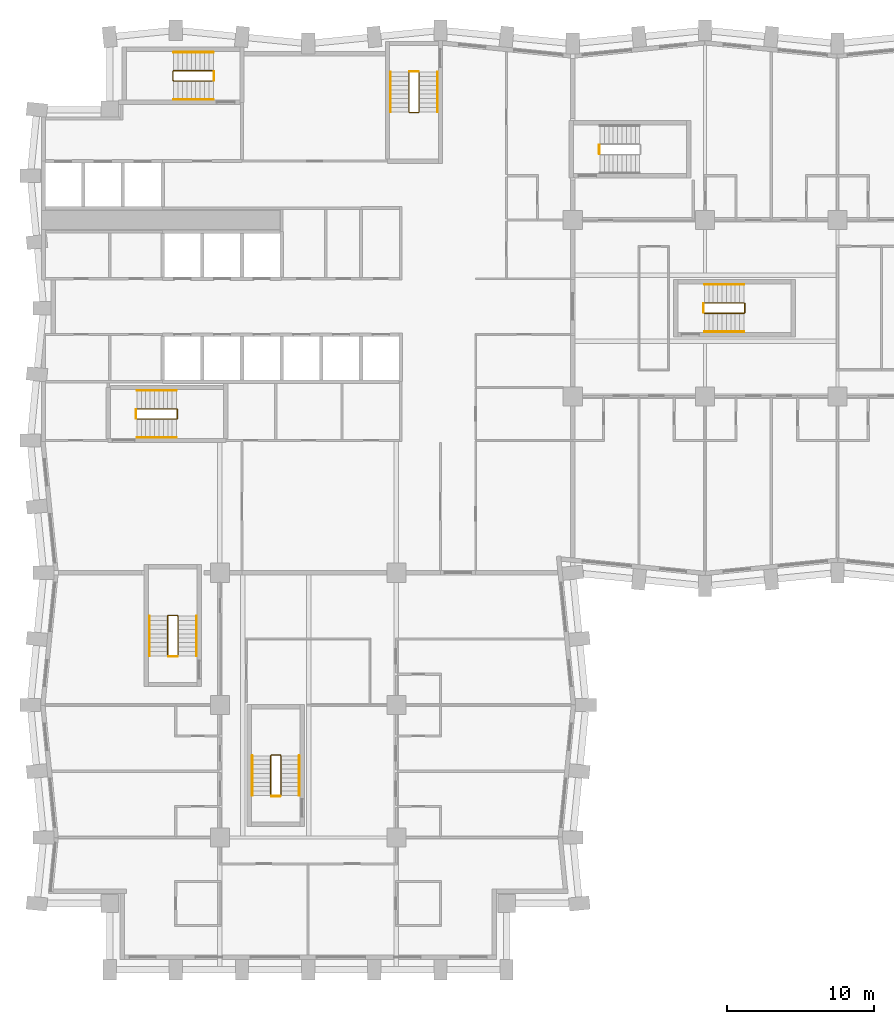
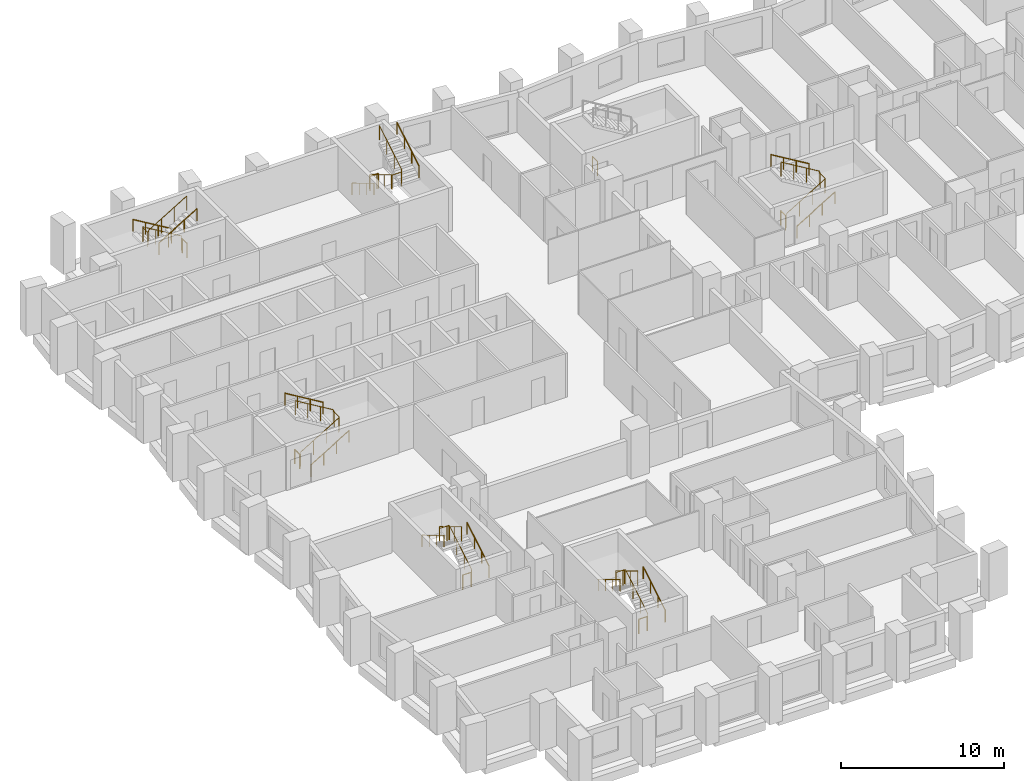
# One storey, part 12 of 13: 25 railings.
"""IFC4 building model written with IfcOpenShell, lengths in metres."""

from ifc_helpers import new_model, si_unit, direction, frame, origin, origin_2d, place, context, subcontext, project, spatial, circle, extrude, material, type_object, element, save


model = new_model("IFC4")

# Units and contexts
model_context = context("Model", 3, precision=1e-05, world=origin(), true_north=direction((0.0, 1.0)))
body_context = subcontext(model_context, "Body", "Model", "MODEL_VIEW")
ifc_project = project(units=[si_unit("LENGTHUNIT", "METRE"), si_unit("AREAUNIT", "SQUARE_METRE"), si_unit("VOLUMEUNIT", "CUBIC_METRE"), si_unit("PLANEANGLEUNIT", "RADIAN"), si_unit("MASSUNIT", "GRAM", prefix="KILO")], contexts=[model_context])

# Site, building, storey
site_placement = place(None, origin())
site = spatial("IfcSite", under=ifc_project, at=site_placement, CompositionType="ELEMENT")
building_placement = place(site_placement, origin())
building = spatial("IfcBuilding", under=site, at=building_placement, Name="Brondeck Convention Tower", CompositionType="ELEMENT")
storey_placement = place(building_placement, frame((0.0, 0.0, 41.10009765625)))
storey = spatial("IfcBuildingStorey", under=building, at=storey_placement, Name="L07", CompositionType="ELEMENT", Elevation=41.10009765625)

# Railings
ifc_material = material(Name="Steel S355", Category="steel")
railing_type_1 = type_object("IfcRailingType", Name="Stair guard 1100", PredefinedType="GUARDRAIL", material=ifc_material)
railing_1_placement = place(storey_placement, frame((6.35009765625, 37.449951171875, 0.179931640625)))
element("IfcRailing", 1, at=railing_1_placement, inside=storey, type_object=railing_type_1, Name="L07 ST-1 stair guard 1", PredefinedType="GUARDRAIL", context=body_context, shape_type="SweptSolid", body=[
    extrude(circle(Radius=0.02392578125, at=origin_2d()), frame((0.0, 0.0, 1.076171875), z_axis=(0.857506608807, 0.0, 0.514472949583), x_axis=(0.0, 1.0, 0.0)), (0.0, 0.0, 1.0), 3.148681640625),
    extrude(circle(Radius=0.02392578125, at=origin_2d()), frame((2.699951171875, 0.0, 2.69580078125), z_axis=(0.707106781187, 0.707106781187, 0.0), x_axis=(-0.707106781187, 0.707106781187, 0.0)), (0.0, 0.0, 1.0), 0.07080078125),
    extrude(circle(Radius=0.02392578125, at=origin_2d()), frame((2.75, 0.050048828125, 2.69580078125), z_axis=(0.0, 1.0, 0.0), x_axis=(-1.0, 0.0, 0.0)), (0.0, 0.0, 1.0), 0.60009765625),
    extrude(circle(Radius=0.02392578125, at=origin_2d()), frame((2.75, 0.650146484375, 2.69580078125), z_axis=(-0.258627984543, 0.257366384619, 0.931060744355), x_axis=(-0.705375805398, -0.708833529934, 0.0)), (0.0, 0.0, 1.0), 0.193603515625),
    extrude(circle(Radius=0.02392578125, at=origin_2d()), frame((2.699951171875, 0.699951171875, 2.8759765625), z_axis=(-0.857506608807, 0.0, 0.514472949583), x_axis=(0.0, -1.0, 0.0)), (0.0, 0.0, 1.0), 3.148681640625),
    extrude(circle(Radius=0.02099609375, at=origin_2d()), origin(), (0.0, 0.0, 1.0), 1.052001953125),
    extrude(circle(Radius=0.02099609375, at=origin_2d()), frame((0.89990234375, 0.0, 0.5400390625)), (0.0, 0.0, 1.0), 1.052001953125),
    extrude(circle(Radius=0.02099609375, at=origin_2d()), frame((1.800048828125, 0.0, 1.079833984375)), (0.0, 0.0, 1.0), 1.052001953125),
    extrude(circle(Radius=0.02099609375, at=origin_2d()), frame((2.699951171875, 0.0, 1.619873046875)), (0.0, 0.0, 1.0), 1.052001953125),
    extrude(circle(Radius=0.02099609375, at=origin_2d()), frame((2.75, 0.050048828125, 1.619873046875)), (0.0, 0.0, 1.0), 1.052001953125),
    extrude(circle(Radius=0.02099609375, at=origin_2d()), frame((2.75, 0.650146484375, 1.619873046875)), (0.0, 0.0, 1.0), 1.052001953125),
    extrude(circle(Radius=0.02099609375, at=origin_2d()), frame((2.699951171875, 0.699951171875, 1.800048828125)), (0.0, 0.0, 1.0), 1.052001953125),
    extrude(circle(Radius=0.02099609375, at=origin_2d()), frame((1.800048828125, 0.699951171875, 2.340087890625)), (0.0, 0.0, 1.0), 1.052001953125),
    extrude(circle(Radius=0.02099609375, at=origin_2d()), frame((0.89990234375, 0.699951171875, 2.8798828125)), (0.0, 0.0, 1.0), 1.052001953125),
    extrude(circle(Radius=0.02099609375, at=origin_2d()), frame((0.0, 0.699951171875, 3.419921875)), (0.0, 0.0, 1.0), 1.052001953125),
])
railing_2_placement = place(storey_placement, frame((6.300048828125, 37.5, 0.0)))
element("IfcRailing", 2, at=railing_2_placement, inside=storey, type_object=railing_type_1, Name="L07 ST-1 stair guard 2", PredefinedType="GUARDRAIL", context=body_context, shape_type="SweptSolid", body=[
    extrude(circle(Radius=0.02392578125, at=origin_2d()), frame((0.0, 0.0, 1.076171875), z_axis=(0.0, 1.0, 0.0), x_axis=(-1.0, 0.0, 0.0)), (0.0, 0.0, 1.0), 0.60009765625),
    extrude(circle(Radius=0.02099609375, at=origin_2d()), origin(), (0.0, 0.0, 1.0), 1.052001953125),
    extrude(circle(Radius=0.02099609375, at=origin_2d()), frame((0.0, 0.60009765625, 0.0)), (0.0, 0.0, 1.0), 1.052001953125),
])
railing_3_placement = place(storey_placement, frame((24.85009765625, 61.050048828125, 0.179931640625)))
element("IfcRailing", 3, at=railing_3_placement, inside=storey, type_object=railing_type_1, Name="L07 ST-2 stair guard 1", PredefinedType="GUARDRAIL", context=body_context, shape_type="SweptSolid", body=[
    extrude(circle(Radius=0.02392578125, at=origin_2d()), frame((0.0, 0.0, 1.076171875), z_axis=(0.0, -0.857506608807, 0.514472949583), x_axis=(1.0, 0.0, 0.0)), (0.0, 0.0, 1.0), 3.148681640625),
    extrude(circle(Radius=0.02392578125, at=origin_2d()), frame((0.0, -2.699951171875, 2.69580078125), z_axis=(0.705375805398, -0.708833529934, 0.0), x_axis=(0.708833529934, 0.705375805398, 0.0)), (0.0, 0.0, 1.0), 0.070556640625),
    extrude(circle(Radius=0.02392578125, at=origin_2d()), frame((0.0498046875, -2.75, 2.69580078125), z_axis=(1.0, 0.0, 0.0), x_axis=(0.0, 1.0, 0.0)), (0.0, 0.0, 1.0), 0.60009765625),
    extrude(circle(Radius=0.02392578125, at=origin_2d()), frame((0.64990234375, -2.75, 2.69580078125), z_axis=(0.258543844998, 0.258543844998, 0.930757841991), x_axis=(-0.707106781187, 0.707106781187, 0.0)), (0.0, 0.0, 1.0), 0.193603515625),
    extrude(circle(Radius=0.02392578125, at=origin_2d()), frame((0.699951171875, -2.699951171875, 2.8759765625), z_axis=(0.0, 0.857506608807, 0.514472949583), x_axis=(-1.0, 0.0, 0.0)), (0.0, 0.0, 1.0), 3.148681640625),
    extrude(circle(Radius=0.02099609375, at=origin_2d()), origin(), (0.0, 0.0, 1.0), 1.052001953125),
    extrude(circle(Radius=0.02099609375, at=origin_2d()), frame((0.0, -0.89990234375, 0.5400390625)), (0.0, 0.0, 1.0), 1.052001953125),
    extrude(circle(Radius=0.02099609375, at=origin_2d()), frame((0.0, -1.800048828125, 1.079833984375)), (0.0, 0.0, 1.0), 1.052001953125),
    extrude(circle(Radius=0.02099609375, at=origin_2d()), frame((0.0, -2.699951171875, 1.619873046875)), (0.0, 0.0, 1.0), 1.052001953125),
    extrude(circle(Radius=0.02099609375, at=origin_2d()), frame((0.0498046875, -2.75, 1.619873046875)), (0.0, 0.0, 1.0), 1.052001953125),
    extrude(circle(Radius=0.02099609375, at=origin_2d()), frame((0.64990234375, -2.75, 1.619873046875)), (0.0, 0.0, 1.0), 1.052001953125),
    extrude(circle(Radius=0.02099609375, at=origin_2d()), frame((0.699951171875, -2.699951171875, 1.800048828125)), (0.0, 0.0, 1.0), 1.052001953125),
    extrude(circle(Radius=0.02099609375, at=origin_2d()), frame((0.699951171875, -1.800048828125, 2.340087890625)), (0.0, 0.0, 1.0), 1.052001953125),
    extrude(circle(Radius=0.02099609375, at=origin_2d()), frame((0.699951171875, -0.89990234375, 2.8798828125)), (0.0, 0.0, 1.0), 1.052001953125),
    extrude(circle(Radius=0.02099609375, at=origin_2d()), frame((0.699951171875, 0.0, 3.419921875)), (0.0, 0.0, 1.0), 1.052001953125),
])
railing_4_placement = place(storey_placement, frame((24.89990234375, 61.10009765625, 0.0)))
element("IfcRailing", 4, at=railing_4_placement, inside=storey, type_object=railing_type_1, Name="L07 ST-2 stair guard 2", PredefinedType="GUARDRAIL", context=body_context, shape_type="SweptSolid", body=[
    extrude(circle(Radius=0.02392578125, at=origin_2d()), frame((0.0, 0.0, 1.076171875), z_axis=(1.0, 0.0, 0.0), x_axis=(0.0, 1.0, 0.0)), (0.0, 0.0, 1.0), 0.60009765625),
    extrude(circle(Radius=0.02099609375, at=origin_2d()), origin(), (0.0, 0.0, 1.0), 1.052001953125),
    extrude(circle(Radius=0.02099609375, at=origin_2d()), frame((0.60009765625, 0.0, 0.0)), (0.0, 0.0, 1.0), 1.052001953125),
])
railing_5_placement = place(storey_placement, frame((11.550048828125, 61.14990234375, 0.179931640625)))
element("IfcRailing", 5, at=railing_5_placement, inside=storey, type_object=railing_type_1, Name="L07 ST-3 stair guard 1", PredefinedType="GUARDRAIL", context=body_context, shape_type="SweptSolid", body=[
    extrude(circle(Radius=0.02392578125, at=origin_2d()), frame((0.0, 0.0, 1.076171875), z_axis=(-0.857506608807, 0.0, 0.514472949583), x_axis=(0.0, -1.0, 0.0)), (0.0, 0.0, 1.0), 3.148681640625),
    extrude(circle(Radius=0.02392578125, at=origin_2d()), frame((-2.699951171875, 0.0, 2.69580078125), z_axis=(-0.708833529934, -0.705375805398, 0.0), x_axis=(0.705375805398, -0.708833529934, 0.0)), (0.0, 0.0, 1.0), 0.070556640625),
    extrude(circle(Radius=0.02392578125, at=origin_2d()), frame((-2.75, -0.0498046875, 2.69580078125), z_axis=(0.0, -1.0, 0.0), x_axis=(1.0, 0.0, 0.0)), (0.0, 0.0, 1.0), 0.60009765625),
    extrude(circle(Radius=0.02392578125, at=origin_2d()), frame((-2.75, -0.64990234375, 2.69580078125), z_axis=(0.258543844998, -0.258543844998, 0.930757841991), x_axis=(0.707106781187, 0.707106781187, 0.0)), (0.0, 0.0, 1.0), 0.193603515625),
    extrude(circle(Radius=0.02392578125, at=origin_2d()), frame((-2.699951171875, -0.699951171875, 2.8759765625), z_axis=(0.857506608807, 0.0, 0.514472949583), x_axis=(0.0, 1.0, 0.0)), (0.0, 0.0, 1.0), 3.148681640625),
    extrude(circle(Radius=0.02099609375, at=origin_2d()), origin(), (0.0, 0.0, 1.0), 1.052001953125),
    extrude(circle(Radius=0.02099609375, at=origin_2d()), frame((-0.89990234375, 0.0, 0.5400390625)), (0.0, 0.0, 1.0), 1.052001953125),
    extrude(circle(Radius=0.02099609375, at=origin_2d()), frame((-1.800048828125, 0.0, 1.079833984375)), (0.0, 0.0, 1.0), 1.052001953125),
    extrude(circle(Radius=0.02099609375, at=origin_2d()), frame((-2.699951171875, 0.0, 1.619873046875)), (0.0, 0.0, 1.0), 1.052001953125),
    extrude(circle(Radius=0.02099609375, at=origin_2d()), frame((-2.75, -0.0498046875, 1.619873046875)), (0.0, 0.0, 1.0), 1.052001953125),
    extrude(circle(Radius=0.02099609375, at=origin_2d()), frame((-2.75, -0.64990234375, 1.619873046875)), (0.0, 0.0, 1.0), 1.052001953125),
    extrude(circle(Radius=0.02099609375, at=origin_2d()), frame((-2.699951171875, -0.699951171875, 1.800048828125)), (0.0, 0.0, 1.0), 1.052001953125),
    extrude(circle(Radius=0.02099609375, at=origin_2d()), frame((-1.800048828125, -0.699951171875, 2.340087890625)), (0.0, 0.0, 1.0), 1.052001953125),
    extrude(circle(Radius=0.02099609375, at=origin_2d()), frame((-0.89990234375, -0.699951171875, 2.8798828125)), (0.0, 0.0, 1.0), 1.052001953125),
    extrude(circle(Radius=0.02099609375, at=origin_2d()), frame((0.0, -0.699951171875, 3.419921875)), (0.0, 0.0, 1.0), 1.052001953125),
])
railing_6_placement = place(storey_placement, frame((11.60009765625, 61.10009765625, 0.0)))
element("IfcRailing", 6, at=railing_6_placement, inside=storey, type_object=railing_type_1, Name="L07 ST-3 stair guard 2", PredefinedType="GUARDRAIL", context=body_context, shape_type="SweptSolid", body=[
    extrude(circle(Radius=0.02392578125, at=origin_2d()), frame((0.0, 0.0, 1.076171875), z_axis=(0.0, -1.0, 0.0), x_axis=(1.0, 0.0, 0.0)), (0.0, 0.0, 1.0), 0.60009765625),
    extrude(circle(Radius=0.02099609375, at=origin_2d()), origin(), (0.0, 0.0, 1.0), 1.052001953125),
    extrude(circle(Radius=0.02099609375, at=origin_2d()), frame((0.0, -0.60009765625, 0.0)), (0.0, 0.0, 1.0), 1.052001953125),
])
railing_7_placement = place(storey_placement, frame((37.800048828125, 55.5, 0.0)))
element("IfcRailing", 7, at=railing_7_placement, inside=storey, type_object=railing_type_1, Name="L07 ST-AE stair guard 2", PredefinedType="GUARDRAIL", context=body_context, shape_type="SweptSolid", body=[
    extrude(circle(Radius=0.02392578125, at=origin_2d()), frame((0.0, 0.0, 1.076171875), z_axis=(0.0, 1.0, 0.0), x_axis=(-1.0, 0.0, 0.0)), (0.0, 0.0, 1.0), 0.60009765625),
    extrude(circle(Radius=0.02099609375, at=origin_2d()), origin(), (0.0, 0.0, 1.0), 1.052001953125),
    extrude(circle(Radius=0.02099609375, at=origin_2d()), frame((0.0, 0.60009765625, 0.0)), (0.0, 0.0, 1.0), 1.052001953125),
])
railing_8_placement = place(storey_placement, frame((9.14990234375, 21.35009765625, 0.179931640625)))
element("IfcRailing", 8, at=railing_8_placement, inside=storey, type_object=railing_type_1, Name="L07 ST-BE stair guard 1", PredefinedType="GUARDRAIL", context=body_context, shape_type="SweptSolid", body=[
    extrude(circle(Radius=0.02392578125, at=origin_2d()), frame((0.0, 0.0, 1.076171875), z_axis=(0.0, 0.857506608807, 0.514472949583), x_axis=(-1.0, 0.0, 0.0)), (0.0, 0.0, 1.0), 3.148681640625),
    extrude(circle(Radius=0.02392578125, at=origin_2d()), frame((0.0, 2.699951171875, 2.69580078125), z_axis=(-0.705375805398, 0.708833529934, 0.0), x_axis=(-0.708833529934, -0.705375805398, 0.0)), (0.0, 0.0, 1.0), 0.070556640625),
    extrude(circle(Radius=0.02392578125, at=origin_2d()), frame((-0.0498046875, 2.75, 2.69580078125), z_axis=(-1.0, 0.0, 0.0), x_axis=(0.0, -1.0, 0.0)), (0.0, 0.0, 1.0), 0.60009765625),
    extrude(circle(Radius=0.02392578125, at=origin_2d()), frame((-0.64990234375, 2.75, 2.69580078125), z_axis=(-0.258543844998, -0.258543844998, 0.930757841991), x_axis=(0.707106781187, -0.707106781187, 0.0)), (0.0, 0.0, 1.0), 0.193603515625),
    extrude(circle(Radius=0.02392578125, at=origin_2d()), frame((-0.699951171875, 2.699951171875, 2.8759765625), z_axis=(0.0, -0.857506608807, 0.514472949583), x_axis=(1.0, 0.0, 0.0)), (0.0, 0.0, 1.0), 3.148681640625),
    extrude(circle(Radius=0.02099609375, at=origin_2d()), origin(), (0.0, 0.0, 1.0), 1.052001953125),
    extrude(circle(Radius=0.02099609375, at=origin_2d()), frame((0.0, 0.89990234375, 0.5400390625)), (0.0, 0.0, 1.0), 1.052001953125),
    extrude(circle(Radius=0.02099609375, at=origin_2d()), frame((0.0, 1.800048828125, 1.079833984375)), (0.0, 0.0, 1.0), 1.052001953125),
    extrude(circle(Radius=0.02099609375, at=origin_2d()), frame((0.0, 2.699951171875, 1.619873046875)), (0.0, 0.0, 1.0), 1.052001953125),
    extrude(circle(Radius=0.02099609375, at=origin_2d()), frame((-0.0498046875, 2.75, 1.619873046875)), (0.0, 0.0, 1.0), 1.052001953125),
    extrude(circle(Radius=0.02099609375, at=origin_2d()), frame((-0.64990234375, 2.75, 1.619873046875)), (0.0, 0.0, 1.0), 1.052001953125),
    extrude(circle(Radius=0.02099609375, at=origin_2d()), frame((-0.699951171875, 2.699951171875, 1.800048828125)), (0.0, 0.0, 1.0), 1.052001953125),
    extrude(circle(Radius=0.02099609375, at=origin_2d()), frame((-0.699951171875, 1.800048828125, 2.340087890625)), (0.0, 0.0, 1.0), 1.052001953125),
    extrude(circle(Radius=0.02099609375, at=origin_2d()), frame((-0.699951171875, 0.89990234375, 2.8798828125)), (0.0, 0.0, 1.0), 1.052001953125),
    extrude(circle(Radius=0.02099609375, at=origin_2d()), frame((-0.699951171875, 0.0, 3.419921875)), (0.0, 0.0, 1.0), 1.052001953125),
])
railing_9_placement = place(storey_placement, frame((9.10009765625, 21.300048828125, 0.0)))
element("IfcRailing", 9, at=railing_9_placement, inside=storey, type_object=railing_type_1, Name="L07 ST-BE stair guard 2", PredefinedType="GUARDRAIL", context=body_context, shape_type="SweptSolid", body=[
    extrude(circle(Radius=0.02392578125, at=origin_2d()), frame((0.0, 0.0, 1.076171875), z_axis=(-1.0, 0.0, 0.0), x_axis=(0.0, -1.0, 0.0)), (0.0, 0.0, 1.0), 0.60009765625),
    extrude(circle(Radius=0.02099609375, at=origin_2d()), origin(), (0.0, 0.0, 1.0), 1.052001953125),
    extrude(circle(Radius=0.02099609375, at=origin_2d()), frame((-0.60009765625, 0.0, 0.0)), (0.0, 0.0, 1.0), 1.052001953125),
])
railing_10_placement = place(storey_placement, frame((44.949951171875, 44.64990234375, 0.179931640625)))
element("IfcRailing", 10, at=railing_10_placement, inside=storey, type_object=railing_type_1, Name="L07 ST-AF stair guard 1", PredefinedType="GUARDRAIL", context=body_context, shape_type="SweptSolid", body=[
    extrude(circle(Radius=0.02392578125, at=origin_2d()), frame((0.0, 0.0, 1.076171875), z_axis=(0.857506608807, 0.0, 0.514472949583), x_axis=(0.0, 1.0, 0.0)), (0.0, 0.0, 1.0), 3.148681640625),
    extrude(circle(Radius=0.02392578125, at=origin_2d()), frame((2.699951171875, 0.0, 2.69580078125), z_axis=(0.707106781187, 0.707106781187, 0.0), x_axis=(-0.707106781187, 0.707106781187, 0.0)), (0.0, 0.0, 1.0), 0.07080078125),
    extrude(circle(Radius=0.02392578125, at=origin_2d()), frame((2.75, 0.050048828125, 2.69580078125), z_axis=(0.0, 1.0, 0.0), x_axis=(-1.0, 0.0, 0.0)), (0.0, 0.0, 1.0), 0.60009765625),
    extrude(circle(Radius=0.02392578125, at=origin_2d()), frame((2.75, 0.650146484375, 2.69580078125), z_axis=(-0.258543844998, 0.258543844998, 0.930757841991), x_axis=(-0.707106781187, -0.707106781187, 0.0)), (0.0, 0.0, 1.0), 0.193603515625),
    extrude(circle(Radius=0.02392578125, at=origin_2d()), frame((2.699951171875, 0.7001953125, 2.8759765625), z_axis=(-0.857506608807, 0.0, 0.514472949583), x_axis=(0.0, -1.0, 0.0)), (0.0, 0.0, 1.0), 3.148681640625),
    extrude(circle(Radius=0.02099609375, at=origin_2d()), origin(), (0.0, 0.0, 1.0), 1.052001953125),
    extrude(circle(Radius=0.02099609375, at=origin_2d()), frame((0.89990234375, 0.0, 0.5400390625)), (0.0, 0.0, 1.0), 1.052001953125),
    extrude(circle(Radius=0.02099609375, at=origin_2d()), frame((1.800048828125, 0.0, 1.079833984375)), (0.0, 0.0, 1.0), 1.052001953125),
    extrude(circle(Radius=0.02099609375, at=origin_2d()), frame((2.699951171875, 0.0, 1.619873046875)), (0.0, 0.0, 1.0), 1.052001953125),
    extrude(circle(Radius=0.02099609375, at=origin_2d()), frame((2.75, 0.050048828125, 1.619873046875)), (0.0, 0.0, 1.0), 1.052001953125),
    extrude(circle(Radius=0.02099609375, at=origin_2d()), frame((2.75, 0.650146484375, 1.619873046875)), (0.0, 0.0, 1.0), 1.052001953125),
    extrude(circle(Radius=0.02099609375, at=origin_2d()), frame((2.699951171875, 0.7001953125, 1.800048828125)), (0.0, 0.0, 1.0), 1.052001953125),
    extrude(circle(Radius=0.02099609375, at=origin_2d()), frame((1.800048828125, 0.7001953125, 2.340087890625)), (0.0, 0.0, 1.0), 1.052001953125),
    extrude(circle(Radius=0.02099609375, at=origin_2d()), frame((0.89990234375, 0.7001953125, 2.8798828125)), (0.0, 0.0, 1.0), 1.052001953125),
    extrude(circle(Radius=0.02099609375, at=origin_2d()), frame((0.0, 0.7001953125, 3.419921875)), (0.0, 0.0, 1.0), 1.052001953125),
])
railing_11_placement = place(storey_placement, frame((44.89990234375, 44.699951171875, 0.0)))
element("IfcRailing", 11, at=railing_11_placement, inside=storey, type_object=railing_type_1, Name="L07 ST-AF stair guard 2", PredefinedType="GUARDRAIL", context=body_context, shape_type="SweptSolid", body=[
    extrude(circle(Radius=0.02392578125, at=origin_2d()), frame((0.0, 0.0, 1.076171875), z_axis=(0.0, 1.0, 0.0), x_axis=(-1.0, 0.0, 0.0)), (0.0, 0.0, 1.0), 0.60009765625),
    extrude(circle(Radius=0.02099609375, at=origin_2d()), origin(), (0.0, 0.0, 1.0), 1.052001953125),
    extrude(circle(Radius=0.02099609375, at=origin_2d()), frame((0.0, 0.60009765625, 0.0)), (0.0, 0.0, 1.0), 1.052001953125),
])
railing_12_placement = place(storey_placement, frame((16.14990234375, 11.85009765625, 0.179931640625)))
element("IfcRailing", 12, at=railing_12_placement, inside=storey, type_object=railing_type_1, Name="L07 ST-BF stair guard 1", PredefinedType="GUARDRAIL", context=body_context, shape_type="SweptSolid", body=[
    extrude(circle(Radius=0.02392578125, at=origin_2d()), frame((0.0, 0.0, 1.076171875), z_axis=(0.0, 0.857506608807, 0.514472949583), x_axis=(-1.0, 0.0, 0.0)), (0.0, 0.0, 1.0), 3.148681640625),
    extrude(circle(Radius=0.02392578125, at=origin_2d()), frame((0.0, 2.699951171875, 2.69580078125), z_axis=(-0.705375805398, 0.708833529934, 0.0), x_axis=(-0.708833529934, -0.705375805398, 0.0)), (0.0, 0.0, 1.0), 0.070556640625),
    extrude(circle(Radius=0.02392578125, at=origin_2d()), frame((-0.0498046875, 2.75, 2.69580078125), z_axis=(-1.0, 0.0, 0.0), x_axis=(0.0, -1.0, 0.0)), (0.0, 0.0, 1.0), 0.60009765625),
    extrude(circle(Radius=0.02392578125, at=origin_2d()), frame((-0.64990234375, 2.75, 2.69580078125), z_axis=(-0.258543844998, -0.258543844998, 0.930757841991), x_axis=(0.707106781187, -0.707106781187, 0.0)), (0.0, 0.0, 1.0), 0.193603515625),
    extrude(circle(Radius=0.02392578125, at=origin_2d()), frame((-0.699951171875, 2.699951171875, 2.8759765625), z_axis=(0.0, -0.857506608807, 0.514472949583), x_axis=(1.0, 0.0, 0.0)), (0.0, 0.0, 1.0), 3.148681640625),
    extrude(circle(Radius=0.02099609375, at=origin_2d()), origin(), (0.0, 0.0, 1.0), 1.052001953125),
    extrude(circle(Radius=0.02099609375, at=origin_2d()), frame((0.0, 0.89990234375, 0.5400390625)), (0.0, 0.0, 1.0), 1.052001953125),
    extrude(circle(Radius=0.02099609375, at=origin_2d()), frame((0.0, 1.800048828125, 1.079833984375)), (0.0, 0.0, 1.0), 1.052001953125),
    extrude(circle(Radius=0.02099609375, at=origin_2d()), frame((0.0, 2.699951171875, 1.619873046875)), (0.0, 0.0, 1.0), 1.052001953125),
    extrude(circle(Radius=0.02099609375, at=origin_2d()), frame((-0.0498046875, 2.75, 1.619873046875)), (0.0, 0.0, 1.0), 1.052001953125),
    extrude(circle(Radius=0.02099609375, at=origin_2d()), frame((-0.64990234375, 2.75, 1.619873046875)), (0.0, 0.0, 1.0), 1.052001953125),
    extrude(circle(Radius=0.02099609375, at=origin_2d()), frame((-0.699951171875, 2.699951171875, 1.800048828125)), (0.0, 0.0, 1.0), 1.052001953125),
    extrude(circle(Radius=0.02099609375, at=origin_2d()), frame((-0.699951171875, 1.800048828125, 2.340087890625)), (0.0, 0.0, 1.0), 1.052001953125),
    extrude(circle(Radius=0.02099609375, at=origin_2d()), frame((-0.699951171875, 0.89990234375, 2.8798828125)), (0.0, 0.0, 1.0), 1.052001953125),
    extrude(circle(Radius=0.02099609375, at=origin_2d()), frame((-0.699951171875, 0.0, 3.419921875)), (0.0, 0.0, 1.0), 1.052001953125),
])
railing_13_placement = place(storey_placement, frame((16.10009765625, 11.800048828125, 0.0)))
element("IfcRailing", 13, at=railing_13_placement, inside=storey, type_object=railing_type_1, Name="L07 ST-BF stair guard 2", PredefinedType="GUARDRAIL", context=body_context, shape_type="SweptSolid", body=[
    extrude(circle(Radius=0.02392578125, at=origin_2d()), frame((0.0, 0.0, 1.076171875), z_axis=(-1.0, 0.0, 0.0), x_axis=(0.0, -1.0, 0.0)), (0.0, 0.0, 1.0), 0.60009765625),
    extrude(circle(Radius=0.02099609375, at=origin_2d()), origin(), (0.0, 0.0, 1.0), 1.052001953125),
    extrude(circle(Radius=0.02099609375, at=origin_2d()), frame((-0.60009765625, 0.0, 0.0)), (0.0, 0.0, 1.0), 1.052001953125),
])
railing_type_2 = type_object("IfcRailingType", Name="Stair handrail", PredefinedType="HANDRAIL", material=ifc_material)
railing_14_placement = place(storey_placement, frame((6.35009765625, 36.199951171875, 0.179931640625)))
element("IfcRailing", 14, at=railing_14_placement, inside=storey, type_object=railing_type_2, Name="L07 ST-1 stair handrail 1", PredefinedType="HANDRAIL", context=body_context, shape_type="SweptSolid", body=[
    extrude(circle(Radius=0.02392578125, at=origin_2d()), frame((0.0, 0.0, 0.8759765625), z_axis=(0.857506608807, 0.0, 0.514472949583), x_axis=(0.0, 1.0, 0.0)), (0.0, 0.0, 1.0), 3.148681640625),
    extrude(circle(Radius=0.02099609375, at=origin_2d()), origin(), (0.0, 0.0, 1.0), 0.851806640625),
    extrude(circle(Radius=0.02099609375, at=origin_2d()), frame((0.89990234375, 0.0, 0.5400390625)), (0.0, 0.0, 1.0), 0.851806640625),
    extrude(circle(Radius=0.02099609375, at=origin_2d()), frame((1.800048828125, 0.0, 1.079833984375)), (0.0, 0.0, 1.0), 0.851806640625),
    extrude(circle(Radius=0.02099609375, at=origin_2d()), frame((2.699951171875, 0.0, 1.619873046875)), (0.0, 0.0, 1.0), 0.851806640625),
])
railing_15_placement = place(storey_placement, frame((9.050048828125, 39.39990234375, 1.97998046875)))
element("IfcRailing", 15, at=railing_15_placement, inside=storey, type_object=railing_type_2, Name="L07 ST-1 stair handrail 2", PredefinedType="HANDRAIL", context=body_context, shape_type="SweptSolid", body=[
    extrude(circle(Radius=0.02392578125, at=origin_2d()), frame((0.0, 0.0, 0.8759765625), z_axis=(-0.857506608807, 0.0, 0.514472949583), x_axis=(0.0, -1.0, 0.0)), (0.0, 0.0, 1.0), 3.148681640625),
    extrude(circle(Radius=0.02099609375, at=origin_2d()), origin(), (0.0, 0.0, 1.0), 0.851806640625),
    extrude(circle(Radius=0.02099609375, at=origin_2d()), frame((-0.89990234375, 0.0, 0.5400390625)), (0.0, 0.0, 1.0), 0.851806640625),
    extrude(circle(Radius=0.02099609375, at=origin_2d()), frame((-1.800048828125, 0.0, 1.079833984375)), (0.0, 0.0, 1.0), 0.851806640625),
    extrude(circle(Radius=0.02099609375, at=origin_2d()), frame((-2.699951171875, 0.0, 1.619873046875)), (0.0, 0.0, 1.0), 0.851806640625),
])
railing_16_placement = place(storey_placement, frame((23.60009765625, 61.050048828125, 0.179931640625)))
element("IfcRailing", 16, at=railing_16_placement, inside=storey, type_object=railing_type_2, Name="L07 ST-2 stair handrail 1", PredefinedType="HANDRAIL", context=body_context, shape_type="SweptSolid", body=[
    extrude(circle(Radius=0.02392578125, at=origin_2d()), frame((0.0, 0.0, 0.8759765625), z_axis=(0.0, -0.857506608807, 0.514472949583), x_axis=(1.0, 0.0, 0.0)), (0.0, 0.0, 1.0), 3.148681640625),
    extrude(circle(Radius=0.02099609375, at=origin_2d()), origin(), (0.0, 0.0, 1.0), 0.851806640625),
    extrude(circle(Radius=0.02099609375, at=origin_2d()), frame((0.0, -0.89990234375, 0.5400390625)), (0.0, 0.0, 1.0), 0.851806640625),
    extrude(circle(Radius=0.02099609375, at=origin_2d()), frame((0.0, -1.800048828125, 1.079833984375)), (0.0, 0.0, 1.0), 0.851806640625),
    extrude(circle(Radius=0.02099609375, at=origin_2d()), frame((0.0, -2.699951171875, 1.619873046875)), (0.0, 0.0, 1.0), 0.851806640625),
])
railing_17_placement = place(storey_placement, frame((26.800048828125, 58.35009765625, 1.97998046875)))
element("IfcRailing", 17, at=railing_17_placement, inside=storey, type_object=railing_type_2, Name="L07 ST-2 stair handrail 2", PredefinedType="HANDRAIL", context=body_context, shape_type="SweptSolid", body=[
    extrude(circle(Radius=0.02392578125, at=origin_2d()), frame((0.0, 0.0, 0.8759765625), z_axis=(0.0, 0.857506608807, 0.514472949583), x_axis=(-1.0, 0.0, 0.0)), (0.0, 0.0, 1.0), 3.148681640625),
    extrude(circle(Radius=0.02099609375, at=origin_2d()), origin(), (0.0, 0.0, 1.0), 0.851806640625),
    extrude(circle(Radius=0.02099609375, at=origin_2d()), frame((0.0, 0.89990234375, 0.5400390625)), (0.0, 0.0, 1.0), 0.851806640625),
    extrude(circle(Radius=0.02099609375, at=origin_2d()), frame((0.0, 1.800048828125, 1.079833984375)), (0.0, 0.0, 1.0), 0.851806640625),
    extrude(circle(Radius=0.02099609375, at=origin_2d()), frame((0.0, 2.699951171875, 1.619873046875)), (0.0, 0.0, 1.0), 0.851806640625),
])
railing_18_placement = place(storey_placement, frame((11.550048828125, 62.39990234375, 0.179931640625)))
element("IfcRailing", 18, at=railing_18_placement, inside=storey, type_object=railing_type_2, Name="L07 ST-3 stair handrail 1", PredefinedType="HANDRAIL", context=body_context, shape_type="SweptSolid", body=[
    extrude(circle(Radius=0.02392578125, at=origin_2d()), frame((0.0, 0.0, 0.8759765625), z_axis=(-0.857506608807, 0.0, 0.514472949583), x_axis=(0.0, -1.0, 0.0)), (0.0, 0.0, 1.0), 3.148681640625),
    extrude(circle(Radius=0.02099609375, at=origin_2d()), origin(), (0.0, 0.0, 1.0), 0.851806640625),
    extrude(circle(Radius=0.02099609375, at=origin_2d()), frame((-0.89990234375, 0.0, 0.5400390625)), (0.0, 0.0, 1.0), 0.851806640625),
    extrude(circle(Radius=0.02099609375, at=origin_2d()), frame((-1.800048828125, 0.0, 1.079833984375)), (0.0, 0.0, 1.0), 0.851806640625),
    extrude(circle(Radius=0.02099609375, at=origin_2d()), frame((-2.699951171875, 0.0, 1.619873046875)), (0.0, 0.0, 1.0), 0.851806640625),
])
railing_19_placement = place(storey_placement, frame((8.85009765625, 59.199951171875, 1.97998046875)))
element("IfcRailing", 19, at=railing_19_placement, inside=storey, type_object=railing_type_2, Name="L07 ST-3 stair handrail 2", PredefinedType="HANDRAIL", context=body_context, shape_type="SweptSolid", body=[
    extrude(circle(Radius=0.02392578125, at=origin_2d()), frame((0.0, 0.0, 0.8759765625), z_axis=(0.857506608807, 0.0, 0.514472949583), x_axis=(0.0, 1.0, 0.0)), (0.0, 0.0, 1.0), 3.148681640625),
    extrude(circle(Radius=0.02099609375, at=origin_2d()), origin(), (0.0, 0.0, 1.0), 0.851806640625),
    extrude(circle(Radius=0.02099609375, at=origin_2d()), frame((0.89990234375, 0.0, 0.5400390625)), (0.0, 0.0, 1.0), 0.851806640625),
    extrude(circle(Radius=0.02099609375, at=origin_2d()), frame((1.800048828125, 0.0, 1.079833984375)), (0.0, 0.0, 1.0), 0.851806640625),
    extrude(circle(Radius=0.02099609375, at=origin_2d()), frame((2.699951171875, 0.0, 1.619873046875)), (0.0, 0.0, 1.0), 0.851806640625),
])
railing_20_placement = place(storey_placement, frame((10.39990234375, 21.35009765625, 0.179931640625)))
element("IfcRailing", 20, at=railing_20_placement, inside=storey, type_object=railing_type_2, Name="L07 ST-BE stair handrail 1", PredefinedType="HANDRAIL", context=body_context, shape_type="SweptSolid", body=[
    extrude(circle(Radius=0.02392578125, at=origin_2d()), frame((0.0, 0.0, 0.8759765625), z_axis=(0.0, 0.857506608807, 0.514472949583), x_axis=(-1.0, 0.0, 0.0)), (0.0, 0.0, 1.0), 3.148681640625),
    extrude(circle(Radius=0.02099609375, at=origin_2d()), origin(), (0.0, 0.0, 1.0), 0.851806640625),
    extrude(circle(Radius=0.02099609375, at=origin_2d()), frame((0.0, 0.89990234375, 0.5400390625)), (0.0, 0.0, 1.0), 0.851806640625),
    extrude(circle(Radius=0.02099609375, at=origin_2d()), frame((0.0, 1.800048828125, 1.079833984375)), (0.0, 0.0, 1.0), 0.851806640625),
    extrude(circle(Radius=0.02099609375, at=origin_2d()), frame((0.0, 2.699951171875, 1.619873046875)), (0.0, 0.0, 1.0), 0.851806640625),
])
railing_21_placement = place(storey_placement, frame((7.199951171875, 24.050048828125, 1.97998046875)))
element("IfcRailing", 21, at=railing_21_placement, inside=storey, type_object=railing_type_2, Name="L07 ST-BE stair handrail 2", PredefinedType="HANDRAIL", context=body_context, shape_type="SweptSolid", body=[
    extrude(circle(Radius=0.02392578125, at=origin_2d()), frame((0.0, 0.0, 0.8759765625), z_axis=(0.0, -0.857506608807, 0.514472949583), x_axis=(1.0, 0.0, 0.0)), (0.0, 0.0, 1.0), 3.148681640625),
    extrude(circle(Radius=0.02099609375, at=origin_2d()), origin(), (0.0, 0.0, 1.0), 0.851806640625),
    extrude(circle(Radius=0.02099609375, at=origin_2d()), frame((0.0, -0.89990234375, 0.5400390625)), (0.0, 0.0, 1.0), 0.851806640625),
    extrude(circle(Radius=0.02099609375, at=origin_2d()), frame((0.0, -1.800048828125, 1.079833984375)), (0.0, 0.0, 1.0), 0.851806640625),
    extrude(circle(Radius=0.02099609375, at=origin_2d()), frame((0.0, -2.699951171875, 1.619873046875)), (0.0, 0.0, 1.0), 0.851806640625),
])
railing_22_placement = place(storey_placement, frame((44.949951171875, 43.39990234375, 0.179931640625)))
element("IfcRailing", 22, at=railing_22_placement, inside=storey, type_object=railing_type_2, Name="L07 ST-AF stair handrail 1", PredefinedType="HANDRAIL", context=body_context, shape_type="SweptSolid", body=[
    extrude(circle(Radius=0.02392578125, at=origin_2d()), frame((0.0, 0.0, 0.8759765625), z_axis=(0.857506608807, 0.0, 0.514472949583), x_axis=(0.0, 1.0, 0.0)), (0.0, 0.0, 1.0), 3.148681640625),
    extrude(circle(Radius=0.02099609375, at=origin_2d()), origin(), (0.0, 0.0, 1.0), 0.851806640625),
    extrude(circle(Radius=0.02099609375, at=origin_2d()), frame((0.89990234375, 0.0, 0.5400390625)), (0.0, 0.0, 1.0), 0.851806640625),
    extrude(circle(Radius=0.02099609375, at=origin_2d()), frame((1.800048828125, 0.0, 1.079833984375)), (0.0, 0.0, 1.0), 0.851806640625),
    extrude(circle(Radius=0.02099609375, at=origin_2d()), frame((2.699951171875, 0.0, 1.619873046875)), (0.0, 0.0, 1.0), 0.851806640625),
])
railing_23_placement = place(storey_placement, frame((47.64990234375, 46.60009765625, 1.97998046875)))
element("IfcRailing", 23, at=railing_23_placement, inside=storey, type_object=railing_type_2, Name="L07 ST-AF stair handrail 2", PredefinedType="HANDRAIL", context=body_context, shape_type="SweptSolid", body=[
    extrude(circle(Radius=0.02392578125, at=origin_2d()), frame((0.0, 0.0, 0.8759765625), z_axis=(-0.857506608807, 0.0, 0.514472949583), x_axis=(0.0, -1.0, 0.0)), (0.0, 0.0, 1.0), 3.148681640625),
    extrude(circle(Radius=0.02099609375, at=origin_2d()), origin(), (0.0, 0.0, 1.0), 0.851806640625),
    extrude(circle(Radius=0.02099609375, at=origin_2d()), frame((-0.89990234375, 0.0, 0.5400390625)), (0.0, 0.0, 1.0), 0.851806640625),
    extrude(circle(Radius=0.02099609375, at=origin_2d()), frame((-1.800048828125, 0.0, 1.079833984375)), (0.0, 0.0, 1.0), 0.851806640625),
    extrude(circle(Radius=0.02099609375, at=origin_2d()), frame((-2.699951171875, 0.0, 1.619873046875)), (0.0, 0.0, 1.0), 0.851806640625),
])
railing_24_placement = place(storey_placement, frame((17.39990234375, 11.85009765625, 0.179931640625)))
element("IfcRailing", 24, at=railing_24_placement, inside=storey, type_object=railing_type_2, Name="L07 ST-BF stair handrail 1", PredefinedType="HANDRAIL", context=body_context, shape_type="SweptSolid", body=[
    extrude(circle(Radius=0.02392578125, at=origin_2d()), frame((0.0, 0.0, 0.8759765625), z_axis=(0.0, 0.857506608807, 0.514472949583), x_axis=(-1.0, 0.0, 0.0)), (0.0, 0.0, 1.0), 3.148681640625),
    extrude(circle(Radius=0.02099609375, at=origin_2d()), origin(), (0.0, 0.0, 1.0), 0.851806640625),
    extrude(circle(Radius=0.02099609375, at=origin_2d()), frame((0.0, 0.89990234375, 0.5400390625)), (0.0, 0.0, 1.0), 0.851806640625),
    extrude(circle(Radius=0.02099609375, at=origin_2d()), frame((0.0, 1.800048828125, 1.079833984375)), (0.0, 0.0, 1.0), 0.851806640625),
    extrude(circle(Radius=0.02099609375, at=origin_2d()), frame((0.0, 2.699951171875, 1.619873046875)), (0.0, 0.0, 1.0), 0.851806640625),
])
railing_25_placement = place(storey_placement, frame((14.199951171875, 14.550048828125, 1.97998046875)))
element("IfcRailing", 25, at=railing_25_placement, inside=storey, type_object=railing_type_2, Name="L07 ST-BF stair handrail 2", PredefinedType="HANDRAIL", context=body_context, shape_type="SweptSolid", body=[
    extrude(circle(Radius=0.02392578125, at=origin_2d()), frame((0.0, 0.0, 0.8759765625), z_axis=(0.0, -0.857506608807, 0.514472949583), x_axis=(1.0, 0.0, 0.0)), (0.0, 0.0, 1.0), 3.148681640625),
    extrude(circle(Radius=0.02099609375, at=origin_2d()), origin(), (0.0, 0.0, 1.0), 0.851806640625),
    extrude(circle(Radius=0.02099609375, at=origin_2d()), frame((0.0, -0.89990234375, 0.5400390625)), (0.0, 0.0, 1.0), 0.851806640625),
    extrude(circle(Radius=0.02099609375, at=origin_2d()), frame((0.0, -1.800048828125, 1.079833984375)), (0.0, 0.0, 1.0), 0.851806640625),
    extrude(circle(Radius=0.02099609375, at=origin_2d()), frame((0.0, -2.699951171875, 1.619873046875)), (0.0, 0.0, 1.0), 0.851806640625),
])

save(model, "model.ifc")
